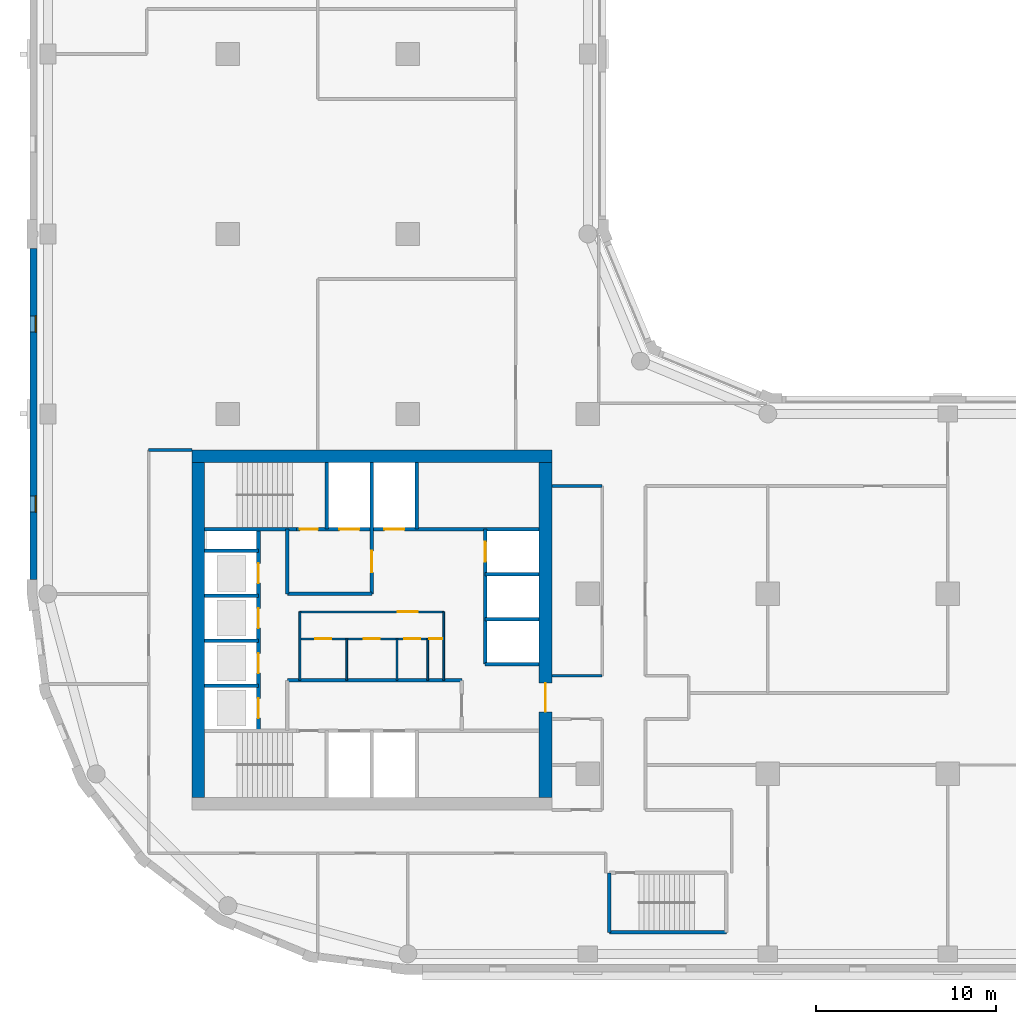
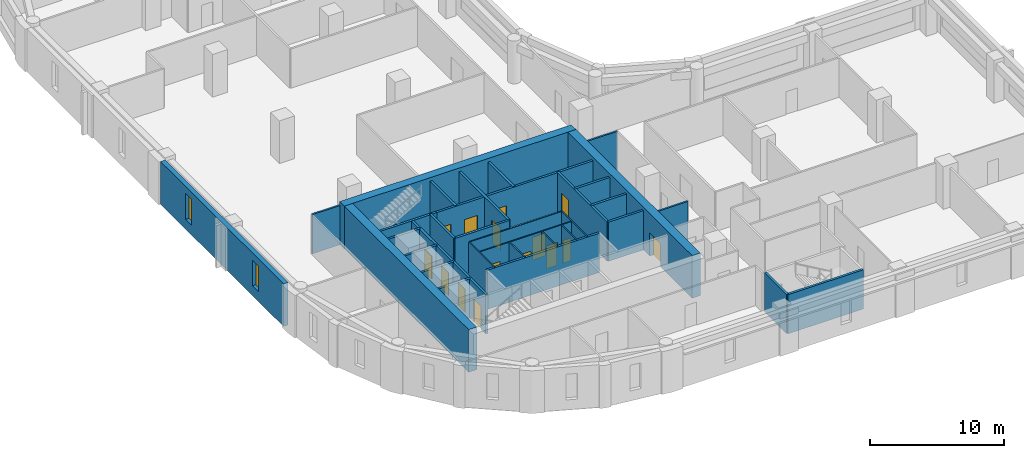
# One storey, part 3 of 9: 33 walls, 15 doors, 2 windows, 17 openings.
"""IFC4 building model written with IfcOpenShell, lengths in metres."""

import ifcopenshell
import ifcopenshell.guid

model = None  # the IFC model being written
_history = None  # IfcOwnerHistory: only IFC2X3 demands one
_inside = {}  # id of a spatial element -> (the spatial element, [elements in it])
_under = {}  # id of a project, library or spatial element -> (it, [spatial elements below it])
_declared = {}  # id of a project -> (the project, [libraries it declares])
_typed = {}  # id of a type object -> (the type object, [elements of that type])
_made_of = {}  # id of a material, layer set ... -> (it, [elements and type objects made of it])


def new_model(schema):
    """Start an empty IFC model of exactly this schema.

    Asked for "IFC4X3", IfcOpenShell would pick the latest addendum, in which some entities
    have other attributes; the version numbers below select the first issue.
    IFC2X3 requires an IfcOwnerHistory on every rooted entity: one is made here for all.
    """
    global model, _history
    if schema == "IFC4X3":
        model = ifcopenshell.file(schema_version=(4, 3, 0, 0))
    else:
        model = ifcopenshell.file(schema=schema)
    _inside.clear()
    _under.clear()
    _declared.clear()
    _typed.clear()
    _made_of.clear()
    _history = None
    if model.schema == "IFC2X3":
        org = make("IfcOrganization", Name="unknown")
        user = make(
            "IfcPersonAndOrganization",
            ThePerson=make("IfcPerson", FamilyName="unknown"),
            TheOrganization=org,
        )
        app = make(
            "IfcApplication",
            ApplicationDeveloper=org,
            Version="unknown",
            ApplicationFullName="unknown",
            ApplicationIdentifier="unknown",
        )
        _history = make(
            "IfcOwnerHistory",
            OwningUser=user,
            OwningApplication=app,
            ChangeAction="ADDED",
            CreationDate=0,
        )
    return model


def make(cls, **values):
    """One entity of the class cls with the attributes given. An attribute that is None is left unset."""
    return model.create_entity(
        cls, **{name: value for name, value in values.items() if value is not None}
    )


def rooted(cls, **values):
    """An entity with a GlobalId (a new one), such as an element, a storey or a relation."""
    return make(cls, GlobalId=ifcopenshell.guid.new(), OwnerHistory=_history, **values)


def si_unit(unit_type, name, prefix=None):
    """IfcSIUnit, for example si_unit("LENGTHUNIT", "METRE", prefix="MILLI")."""
    return make("IfcSIUnit", UnitType=unit_type, Prefix=prefix, Name=name)


def assignment(units):
    """IfcUnitAssignment: the units of a project."""
    return None if units is None else make("IfcUnitAssignment", Units=units)


def point(xyz):
    """IfcCartesianPoint."""
    return None if xyz is None else make("IfcCartesianPoint", Coordinates=xyz)


def direction(xyz):
    """IfcDirection."""
    return None if xyz is None else make("IfcDirection", DirectionRatios=xyz)


def frame(location, z_axis=None, x_axis=None):
    """IfcAxis2Placement3D, a coordinate frame: its origin and axes. An axis left out is left unset."""
    return make(
        "IfcAxis2Placement3D",
        Location=point(location),
        Axis=direction(z_axis),
        RefDirection=direction(x_axis),
    )


def frame_2d(location, x_axis=None):
    """IfcAxis2Placement2D, a coordinate frame in the plane: its origin and x axis."""
    return make(
        "IfcAxis2Placement2D", Location=point(location), RefDirection=direction(x_axis)
    )


def origin():
    """The frame at (0, 0, 0) with its axes left unset."""
    return frame((0.0, 0.0, 0.0))


def place(relative_to, where):
    """IfcLocalPlacement: puts the frame where relative to a parent placement (None: the world)."""
    return make(
        "IfcLocalPlacement", PlacementRelTo=relative_to, RelativePlacement=where
    )


def context(
    kind, dimensions, precision=None, world=None, true_north=None, identifier=None
):
    """IfcGeometricRepresentationContext, for example the 3D "Model" context."""
    return make(
        "IfcGeometricRepresentationContext",
        ContextIdentifier=identifier,
        ContextType=kind,
        CoordinateSpaceDimension=dimensions,
        Precision=precision,
        WorldCoordinateSystem=world,
        TrueNorth=true_north,
    )


def subcontext(parent, identifier, kind, view, scale=None):
    """IfcGeometricRepresentationSubContext, for example "Body" below "Model"."""
    return make(
        "IfcGeometricRepresentationSubContext",
        ContextIdentifier=identifier,
        ContextType=kind,
        ParentContext=parent,
        TargetScale=scale,
        TargetView=view,
    )


def project(units=None, contexts=None):
    """IfcProject with its units and contexts."""
    return rooted(
        "IfcProject",
        Name="project",
        RepresentationContexts=contexts,
        UnitsInContext=assignment(units),
    )


def spatial(cls, under=None, at=None, **own):
    """A site, building, storey or space (cls), placed at a placement, below another one or the project."""
    s = rooted(cls, ObjectPlacement=at, **own)
    if under is not None:
        _under.setdefault(under.id(), (under, []))[1].append(s)
    return s


def profile(cls, at=None, kind="AREA", **sizes):
    """A parametric profile (cls). Its sizes go by their IFC names, for example OverallWidth=200.0."""
    return make(cls, ProfileType=kind, Position=at, **sizes)


def rectangle(**sizes):
    """IfcRectangleProfileDef."""
    return profile("IfcRectangleProfileDef", **sizes)


def extrude(swept, where, along, depth):
    """IfcExtrudedAreaSolid: the profile swept, set in the frame where, extruded along a direction by depth."""
    return make(
        "IfcExtrudedAreaSolid",
        SweptArea=swept,
        Position=where,
        ExtrudedDirection=direction(along),
        Depth=depth,
    )


def shape(context_of_items, identifier, shape_type, items):
    """IfcShapeRepresentation: the items that make up one representation, for example the "Body"."""
    return make(
        "IfcShapeRepresentation",
        ContextOfItems=context_of_items,
        RepresentationIdentifier=identifier,
        RepresentationType=shape_type,
        Items=items,
    )


def material(Name=None, Category=None):
    """IfcMaterial."""
    return make("IfcMaterial", Name=Name, Category=Category)


def layer(
    of_material, thickness, ventilated=None, Name=None, Category=None, Priority=None
):
    """IfcMaterialLayer: one layer of a wall or slab, of a material (None: an air gap)."""
    return make(
        "IfcMaterialLayer",
        Material=of_material,
        LayerThickness=thickness,
        IsVentilated=ventilated,
        Name=Name,
        Category=Category,
        Priority=Priority,
    )


def layer_set(layers, Name=None):
    """IfcMaterialLayerSet."""
    return make("IfcMaterialLayerSet", MaterialLayers=layers, LayerSetName=Name)


def made_of(thing, what):
    """Note that an element or type object is made of a material, layer set ...; save() writes the relation."""
    if what is not None:
        _made_of.setdefault(what.id(), (what, []))[1].append(thing)
    return thing


def type_object(cls, material=None, **own):
    """A type object (cls), such as IfcWallType, which elements share."""
    return made_of(rooted(cls, **own), material)


def element(
    cls,
    number,
    at=None,
    inside=None,
    cuts=None,
    type_object=None,
    material=None,
    context=None,
    identifier="Body",
    shape_type=None,
    held_by="IfcProductDefinitionShape",
    body=None,
    shapes=None,
    **own,
):
    """One element of the class cls, such as IfcWall. Its Tag is "e" and its number.

    at: its placement. inside: the storey or other place that contains it. cuts: it is an
    opening in that element (IfcRelVoidsElement). A single representation is given by context,
    identifier, shape_type and body (its items); several are given by shapes. held_by: the class
    of the entity that holds the representations. save() writes the other relations.
    """
    e = rooted(cls, Tag="e%d" % number, ObjectPlacement=at, **own)
    if body is not None:
        shapes = [shape(context, identifier, shape_type, body)]
    if shapes is not None:
        e.Representation = make(held_by, Representations=shapes)
    if inside is not None:
        _inside.setdefault(inside.id(), (inside, []))[1].append(e)
    if cuts is not None:
        rooted(
            "IfcRelVoidsElement", RelatingBuildingElement=cuts, RelatedOpeningElement=e
        )
    if type_object is not None:
        _typed.setdefault(type_object.id(), (type_object, []))[1].append(e)
    return made_of(e, material)


def fill(opening, filler):
    """IfcRelFillsElement: the door or window that sits in an opening."""
    return rooted(
        "IfcRelFillsElement",
        RelatingOpeningElement=opening,
        RelatedBuildingElement=filler,
    )


def aggregate(whole, parts):
    """IfcRelAggregates: a whole, such as a stair, and the parts it consists of."""
    return rooted("IfcRelAggregates", RelatingObject=whole, RelatedObjects=parts)


def save(model, path):
    """Write the relations noted so far, then the file.

    IfcRelAggregates (storeys below a building ...), IfcRelContainedInSpatialStructure (elements
    in a storey), IfcRelDefinesByType, IfcRelAssociatesMaterial and IfcRelDeclares: one each for
    every whole, place, type object, material and project.
    """
    for whole, parts in _under.values():
        aggregate(whole, parts)
    for where, things in _inside.values():
        rooted(
            "IfcRelContainedInSpatialStructure",
            RelatedElements=things,
            RelatingStructure=where,
        )
    for kind, things in _typed.values():
        rooted("IfcRelDefinesByType", RelatedObjects=things, RelatingType=kind)
    for what, things in _made_of.values():
        rooted("IfcRelAssociatesMaterial", RelatedObjects=things, RelatingMaterial=what)
    for by, libraries in _declared.values():
        rooted("IfcRelDeclares", RelatingContext=by, RelatedDefinitions=libraries)
    model.write(path)


model = new_model("IFC4")

# Units and contexts
model_context = context("Model", 3, precision=1e-05, world=origin(), true_north=direction((0.0, 1.0)))
body_context = subcontext(model_context, "Body", "Model", "MODEL_VIEW")
ifc_project = project(units=[si_unit("LENGTHUNIT", "METRE"), si_unit("AREAUNIT", "SQUARE_METRE"), si_unit("VOLUMEUNIT", "CUBIC_METRE"), si_unit("PLANEANGLEUNIT", "RADIAN"), si_unit("MASSUNIT", "GRAM", prefix="KILO")], contexts=[model_context])

# Site, building, storey
site_placement = place(None, origin())
site = spatial("IfcSite", under=ifc_project, at=site_placement, CompositionType="ELEMENT")
building_placement = place(site_placement, origin())
building = spatial("IfcBuilding", under=site, at=building_placement, Name="Qaws Garden Tower", CompositionType="ELEMENT")
storey_placement = place(building_placement, frame((0.0, 0.0, 198.0)))
storey = spatial("IfcBuildingStorey", under=building, at=storey_placement, Name="L48", CompositionType="ELEMENT", Elevation=198.0)

# Wall, openings, windows
ifc_material_1 = material(Name="Clay facing brick masonry", Category="masonry")
ifc_layer_1 = layer(ifc_material_1, 0.39990234375)
ifc_layer_set_1 = layer_set([ifc_layer_1], Name="Clay facing brick masonry")
wall_type_1 = type_object("IfcWallType", Name="Brick infill wall 400", PredefinedType="SOLIDWALL", material=ifc_layer_set_1)
wall_1_placement = place(storey_placement, frame((-0.800048828125, 39.199951171875, 0.0), z_axis=(0.0, 0.0, 1.0), x_axis=(0.0, -1.0, 0.0)))
wall_1 = element("IfcWall", 1, at=wall_1_placement, inside=storey, type_object=wall_type_1, Name="E-L48-infill-23", PredefinedType="SOLIDWALL", context=body_context, shape_type="SweptSolid", body=[
    extrude(rectangle(XDim=18.39990234375, YDim=0.39990234375, at=frame_2d((9.199951171875, 0.0))), origin(), (0.0, 0.0, 1.0), 3.89990234375),
])
opening_1_placement = place(wall_1_placement, frame((3.75, 0.0, 0.89990234375)))
opening_1 = element("IfcOpeningElement", 2, at=opening_1_placement, cuts=wall_1, Name="Opening W09", PredefinedType="OPENING", context=body_context, shape_type="SweptSolid", body=[
    extrude(rectangle(XDim=0.89990234375, YDim=2.35009765625, at=frame_2d((0.449951171875, 1.175048828125))), frame((0.0, 0.2099609375, 0.0), z_axis=(0.0, -1.0, 0.0), x_axis=(1.0, 0.0, 0.0)), (0.0, 0.0, 1.0), 0.419921875),
])
opening_2_placement = place(wall_1_placement, frame((13.75, 0.0, 0.89990234375)))
opening_2 = element("IfcOpeningElement", 3, at=opening_2_placement, cuts=wall_1, Name="Opening W09", PredefinedType="OPENING", context=body_context, shape_type="SweptSolid", body=[
    extrude(rectangle(XDim=0.89990234375, YDim=2.35009765625, at=frame_2d((0.449951171875, 1.175048828125))), frame((0.0, 0.2099609375, 0.0), z_axis=(0.0, -1.0, 0.0), x_axis=(1.0, 0.0, 0.0)), (0.0, 0.0, 1.0), 0.419921875),
])
ifc_material_2 = material(Name="Aluminium framed window, clear glazing", Category="aluminium")
window_type = type_object("IfcWindowType", Name="Slit window 900 x 2350", PartitioningType="SINGLE_PANEL", PredefinedType="WINDOW", material=ifc_material_2)
window_1_placement = place(opening_1_placement, origin())
window_1 = element("IfcWindow", 4, at=window_1_placement, inside=storey, type_object=window_type, Name="E-L48-window-23-0", OverallHeight=2.35009765625, OverallWidth=0.89990234375, PartitioningType="SINGLE_PANEL", PredefinedType="WINDOW", context=body_context, shape_type="SweptSolid", body=[
    extrude(rectangle(XDim=0.89990234375, YDim=2.35009765625, at=frame_2d((0.449951171875, 1.175048828125))), frame((0.0, 0.159912109375, 0.0), z_axis=(0.0, -1.0, 0.0), x_axis=(1.0, 0.0, 0.0)), (0.0, 0.0, 1.0), 0.06005859375),
])
fill(opening_1, window_1)
window_2_placement = place(opening_2_placement, origin())
window_2 = element("IfcWindow", 5, at=window_2_placement, inside=storey, type_object=window_type, Name="E-L48-window-24-0", OverallHeight=2.35009765625, OverallWidth=0.89990234375, PartitioningType="SINGLE_PANEL", PredefinedType="WINDOW", context=body_context, shape_type="SweptSolid", body=[
    extrude(rectangle(XDim=0.89990234375, YDim=2.35009765625, at=frame_2d((0.449951171875, 1.175048828125))), frame((0.0, 0.159912109375, 0.0), z_axis=(0.0, -1.0, 0.0), x_axis=(1.0, 0.0, 0.0)), (0.0, 0.0, 1.0), 0.06005859375),
])
fill(opening_2, window_2)

# Wall, openings, doors
ifc_material_3 = material(Name="Plasterboard")
ifc_layer_2 = layer(ifc_material_3, 0.10009765625)
ifc_layer_set_2 = layer_set([ifc_layer_2], Name="Plasterboard")
wall_type_2 = type_object("IfcWallType", Name="Core partition 100", PredefinedType="PARTITIONING", material=ifc_layer_set_2)
wall_2_placement = place(storey_placement, frame((14.0, 17.5, 0.0), z_axis=(0.0, 0.0, 1.0), x_axis=(1.0, 0.0, 0.0)))
wall_2 = element("IfcWall", 6, at=wall_2_placement, inside=storey, type_object=wall_type_2, Name="Core partition", PredefinedType="PARTITIONING", context=body_context, shape_type="SweptSolid", body=[
    extrude(rectangle(XDim=8.0, YDim=0.10009765625, at=frame_2d((4.0, 0.0))), origin(), (0.0, 0.0, 1.0), 3.580078125),
])
opening_3_placement = place(wall_2_placement, frame((0.85009765625, 0.0, 0.0)))
opening_3 = element("IfcOpeningElement", 7, at=opening_3_placement, cuts=wall_2, Name="Opening WD18", PredefinedType="OPENING", context=body_context, shape_type="SweptSolid", body=[
    extrude(rectangle(XDim=0.89990234375, YDim=2.10009765625, at=frame_2d((0.449951171875, 1.050048828125))), frame((0.0, 0.06005859375, 0.0), z_axis=(0.0, -1.0, 0.0), x_axis=(1.0, 0.0, 0.0)), (0.0, 0.0, 1.0), 0.1201171875),
])
opening_4_placement = place(wall_2_placement, frame((3.550048828125, 0.0, 0.0)))
opening_4 = element("IfcOpeningElement", 8, at=opening_4_placement, cuts=wall_2, Name="Opening WD19", PredefinedType="OPENING", context=body_context, shape_type="SweptSolid", body=[
    extrude(rectangle(XDim=0.89990234375, YDim=2.10009765625, at=frame_2d((0.449951171875, 1.050048828125))), frame((0.0, 0.06005859375, 0.0), z_axis=(0.0, -1.0, 0.0), x_axis=(1.0, 0.0, 0.0)), (0.0, 0.0, 1.0), 0.1201171875),
])
opening_5_placement = place(wall_2_placement, frame((5.800048828125, 0.0, 0.0)))
opening_5 = element("IfcOpeningElement", 9, at=opening_5_placement, cuts=wall_2, Name="Opening WD20", PredefinedType="OPENING", context=body_context, shape_type="SweptSolid", body=[
    extrude(rectangle(XDim=0.89990234375, YDim=2.10009765625, at=frame_2d((0.449951171875, 1.050048828125))), frame((0.0, 0.06005859375, 0.0), z_axis=(0.0, -1.0, 0.0), x_axis=(1.0, 0.0, 0.0)), (0.0, 0.0, 1.0), 0.1201171875),
])
opening_6_placement = place(wall_2_placement, frame((7.199951171875, 0.0, 0.0)))
opening_6 = element("IfcOpeningElement", 10, at=opening_6_placement, cuts=wall_2, Name="Opening XD21", PredefinedType="OPENING", context=body_context, shape_type="SweptSolid", body=[
    extrude(rectangle(XDim=0.699951171875, YDim=2.10009765625, at=frame_2d((0.35009765625, 1.050048828125))), frame((0.0, 0.06005859375, 0.0), z_axis=(0.0, -1.0, 0.0), x_axis=(1.0, 0.0, 0.0)), (0.0, 0.0, 1.0), 0.1201171875),
])
ifc_material_4 = material(Name="Timber", Category="wood")
door_type_1 = type_object("IfcDoorType", Name="Store door 700x2100", OperationType="SINGLE_SWING_LEFT", PredefinedType="DOOR", material=ifc_material_4)
door_1_placement = place(opening_6_placement, frame((0.699951171875, 0.0, 0.0), z_axis=(0.0, 0.0, 1.0), x_axis=(-1.0, 0.0, 0.0)))
door_1 = element("IfcDoor", 11, at=door_1_placement, inside=storey, type_object=door_type_1, Name="Cleaner's store door", OperationType="SINGLE_SWING_LEFT", OverallHeight=2.10009765625, OverallWidth=0.699951171875, PredefinedType="DOOR", context=body_context, shape_type="SweptSolid", body=[
    extrude(rectangle(XDim=0.699951171875, YDim=2.10009765625, at=frame_2d((0.35009765625, 1.050048828125))), frame((0.0, 0.02490234375, 0.0), z_axis=(0.0, -1.0, 0.0), x_axis=(1.0, 0.0, 0.0)), (0.0, 0.0, 1.0), 0.050048828125),
])
fill(opening_6, door_1)
ifc_material_5 = material(Name="Timber", Category="wood")
door_type_2 = type_object("IfcDoorType", Name="WC door 900x2100", OperationType="SINGLE_SWING_LEFT", PredefinedType="DOOR", material=ifc_material_5)
door_2_placement = place(opening_3_placement, frame((0.89990234375, 0.0, 0.0), z_axis=(0.0, 0.0, 1.0), x_axis=(-1.0, 0.0, 0.0)))
door_2 = element("IfcDoor", 12, at=door_2_placement, inside=storey, type_object=door_type_2, Name="Men's WC door", OperationType="SINGLE_SWING_LEFT", OverallHeight=2.10009765625, OverallWidth=0.89990234375, PredefinedType="DOOR", context=body_context, shape_type="SweptSolid", body=[
    extrude(rectangle(XDim=0.89990234375, YDim=2.10009765625, at=frame_2d((0.449951171875, 1.050048828125))), frame((0.0, 0.02490234375, 0.0), z_axis=(0.0, -1.0, 0.0), x_axis=(1.0, 0.0, 0.0)), (0.0, 0.0, 1.0), 0.050048828125),
])
fill(opening_3, door_2)
door_3_placement = place(opening_4_placement, frame((0.89990234375, 0.0, 0.0), z_axis=(0.0, 0.0, 1.0), x_axis=(-1.0, 0.0, 0.0)))
door_3 = element("IfcDoor", 13, at=door_3_placement, inside=storey, type_object=door_type_2, Name="Women's WC door", OperationType="SINGLE_SWING_LEFT", OverallHeight=2.10009765625, OverallWidth=0.89990234375, PredefinedType="DOOR", context=body_context, shape_type="SweptSolid", body=[
    extrude(rectangle(XDim=0.89990234375, YDim=2.10009765625, at=frame_2d((0.449951171875, 1.050048828125))), frame((0.0, 0.02490234375, 0.0), z_axis=(0.0, -1.0, 0.0), x_axis=(1.0, 0.0, 0.0)), (0.0, 0.0, 1.0), 0.050048828125),
])
fill(opening_4, door_3)
door_4_placement = place(opening_5_placement, frame((0.89990234375, 0.0, 0.0), z_axis=(0.0, 0.0, 1.0), x_axis=(-1.0, 0.0, 0.0)))
door_4 = element("IfcDoor", 14, at=door_4_placement, inside=storey, type_object=door_type_2, Name="Accessible WC door", OperationType="SINGLE_SWING_LEFT", OverallHeight=2.10009765625, OverallWidth=0.89990234375, PredefinedType="DOOR", context=body_context, shape_type="SweptSolid", body=[
    extrude(rectangle(XDim=0.89990234375, YDim=2.10009765625, at=frame_2d((0.449951171875, 1.050048828125))), frame((0.0, 0.02490234375, 0.0), z_axis=(0.0, -1.0, 0.0), x_axis=(1.0, 0.0, 0.0)), (0.0, 0.0, 1.0), 0.050048828125),
])
fill(opening_5, door_4)

# Wall, opening, door
wall_3_placement = place(storey_placement, frame((14.0, 19.0, 0.0), z_axis=(0.0, 0.0, 1.0), x_axis=(1.0, 0.0, 0.0)))
wall_3 = element("IfcWall", 15, at=wall_3_placement, inside=storey, type_object=wall_type_2, Name="Core partition", PredefinedType="PARTITIONING", context=body_context, shape_type="SweptSolid", body=[
    extrude(rectangle(XDim=8.0, YDim=0.10009765625, at=frame_2d((4.0, 0.0))), origin(), (0.0, 0.0, 1.0), 3.580078125),
])
opening_7_placement = place(wall_3_placement, frame((5.449951171875, 0.0, 0.0)))
opening_7 = element("IfcOpeningElement", 16, at=opening_7_placement, cuts=wall_3, Name="Opening WL17", PredefinedType="OPENING", context=body_context, shape_type="SweptSolid", body=[
    extrude(rectangle(XDim=1.10009765625, YDim=2.10009765625, at=frame_2d((0.550048828125, 1.050048828125))), frame((0.0, 0.06005859375, 0.0), z_axis=(0.0, -1.0, 0.0), x_axis=(1.0, 0.0, 0.0)), (0.0, 0.0, 1.0), 0.1201171875),
])
ifc_material_6 = material(Name="Timber", Category="wood")
door_type_3 = type_object("IfcDoorType", Name="WC lobby door 1100x2100", OperationType="SINGLE_SWING_LEFT", PredefinedType="DOOR", material=ifc_material_6)
door_5_placement = place(opening_7_placement, frame((1.10009765625, 0.0, 0.0), z_axis=(0.0, 0.0, 1.0), x_axis=(-1.0, 0.0, 0.0)))
door_5 = element("IfcDoor", 17, at=door_5_placement, inside=storey, type_object=door_type_3, Name="WC lobby door", OperationType="SINGLE_SWING_LEFT", OverallHeight=2.10009765625, OverallWidth=1.10009765625, PredefinedType="DOOR", context=body_context, shape_type="SweptSolid", body=[
    extrude(rectangle(XDim=1.10009765625, YDim=2.10009765625, at=frame_2d((0.550048828125, 1.050048828125))), frame((0.0, 0.02490234375, 0.0), z_axis=(0.0, -1.0, 0.0), x_axis=(1.0, 0.0, 0.0)), (0.0, 0.0, 1.0), 0.050048828125),
])
fill(opening_7, door_5)

# Walls
wall_4_placement = place(storey_placement, frame((14.0, 15.199951171875, 0.0), z_axis=(0.0, 0.0, 1.0), x_axis=(0.0, 1.0, 0.0)))
element("IfcWall", 18, at=wall_4_placement, inside=storey, type_object=wall_type_2, Name="Core partition", PredefinedType="PARTITIONING", context=body_context, shape_type="SweptSolid", body=[
    extrude(rectangle(XDim=3.800048828125, YDim=0.10009765625, at=frame_2d((1.89990234375, 0.0))), origin(), (0.0, 0.0, 1.0), 3.580078125),
])
for number, where, z_axis, x_axis, name in (
    (19, (16.60009765625, 15.199951171875, 0.0), (0.0, 0.0, 1.0), (0.0, 1.0, 0.0), "Core partition"),
    (20, (19.39990234375, 15.199951171875, 0.0), (0.0, 0.0, 1.0), (0.0, 1.0, 0.0), "Core partition"),
    (21, (21.10009765625, 15.199951171875, 0.0), (0.0, 0.0, 1.0), (0.0, 1.0, 0.0), "Core partition"),
):
    element("IfcWall", number, at=place(storey_placement, frame(where, z_axis=z_axis, x_axis=x_axis)), inside=storey, type_object=wall_type_2, Name=name, PredefinedType="PARTITIONING", context=body_context, shape_type="SweptSolid", body=[
        extrude(rectangle(XDim=2.300048828125, YDim=0.10009765625, at=frame_2d((1.14990234375, 0.0))), origin(), (0.0, 0.0, 1.0), 3.580078125),
    ])
wall_5_placement = place(storey_placement, frame((22.0, 15.199951171875, 0.0), z_axis=(0.0, 0.0, 1.0), x_axis=(0.0, 1.0, 0.0)))
element("IfcWall", 22, at=wall_5_placement, inside=storey, type_object=wall_type_2, Name="Core partition", PredefinedType="PARTITIONING", context=body_context, shape_type="SweptSolid", body=[
    extrude(rectangle(XDim=3.800048828125, YDim=0.10009765625, at=frame_2d((1.89990234375, 0.0))), origin(), (0.0, 0.0, 1.0), 3.580078125),
])
ifc_material_7 = material(Name="Concrete C70", Category="concrete")
ifc_layer_3 = layer(ifc_material_7, 0.199951171875)
ifc_layer_set_3 = layer_set([ifc_layer_3], Name="Concrete C70")
wall_type_3 = type_object("IfcWallType", Name="Core shaft wall 200 C70", PredefinedType="SHEAR", material=ifc_layer_set_3)
wall_6_placement = place(storey_placement, frame((31.199951171875, 1.199951171875, 0.0), z_axis=(0.0, 0.0, 1.0), x_axis=(1.0, 0.0, 0.0)))
element("IfcWall", 23, at=wall_6_placement, inside=storey, type_object=wall_type_3, Name="Shaft wall", PredefinedType="SHEAR", context=body_context, shape_type="SweptSolid", body=[
    extrude(rectangle(XDim=6.5, YDim=0.199951171875, at=frame_2d((3.25, 0.0))), origin(), (0.0, 0.0, 1.0), 3.580078125),
])
wall_7_placement = place(storey_placement, frame((8.699951171875, 14.89990234375, 0.0), z_axis=(0.0, 0.0, 1.0), x_axis=(1.0, 0.0, 0.0)))
element("IfcWall", 24, at=wall_7_placement, inside=storey, type_object=wall_type_3, Name="Shaft wall", PredefinedType="SHEAR", context=body_context, shape_type="SweptSolid", body=[
    extrude(rectangle(XDim=3.0, YDim=0.199951171875, at=frame_2d((1.5, 0.0))), origin(), (0.0, 0.0, 1.0), 3.580078125),
])
wall_8_placement = place(storey_placement, frame((13.300048828125, 15.199951171875, 0.0), z_axis=(0.0, 0.0, 1.0), x_axis=(1.0, 0.0, 0.0)))
element("IfcWall", 25, at=wall_8_placement, inside=storey, type_object=wall_type_3, Name="Shaft wall", PredefinedType="SHEAR", context=body_context, shape_type="SweptSolid", body=[
    extrude(rectangle(XDim=9.699951171875, YDim=0.199951171875, at=frame_2d((4.85009765625, 0.0))), origin(), (0.0, 0.0, 1.0), 3.580078125),
])
for number, where, z_axis, x_axis, name in (
    (26, (24.300048828125, 16.10009765625, 0.0), (0.0, 0.0, 1.0), (1.0, 0.0, 0.0), "Shaft wall"),
    (27, (8.699951171875, 17.39990234375, 0.0), (0.0, 0.0, 1.0), (1.0, 0.0, 0.0), "Shaft wall"),
    (28, (24.300048828125, 18.60009765625, 0.0), (0.0, 0.0, 1.0), (1.0, 0.0, 0.0), "Shaft wall"),
    (29, (8.699951171875, 19.89990234375, 0.0), (0.0, 0.0, 1.0), (1.0, 0.0, 0.0), "Shaft wall"),
):
    element("IfcWall", number, at=place(storey_placement, frame(where, z_axis=z_axis, x_axis=x_axis)), inside=storey, type_object=wall_type_3, Name=name, PredefinedType="SHEAR", context=body_context, shape_type="SweptSolid", body=[
        extrude(rectangle(XDim=3.0, YDim=0.199951171875, at=frame_2d((1.5, 0.0))), origin(), (0.0, 0.0, 1.0), 3.580078125),
    ])
wall_9_placement = place(storey_placement, frame((13.300048828125, 20.0, 0.0), z_axis=(0.0, 0.0, 1.0), x_axis=(1.0, 0.0, 0.0)))
element("IfcWall", 30, at=wall_9_placement, inside=storey, type_object=wall_type_3, Name="Shaft wall", PredefinedType="SHEAR", context=body_context, shape_type="SweptSolid", body=[
    extrude(rectangle(XDim=4.699951171875, YDim=0.199951171875, at=frame_2d((2.35009765625, 0.0))), origin(), (0.0, 0.0, 1.0), 3.580078125),
])
for number, where, z_axis, x_axis, name in (
    (31, (24.300048828125, 21.10009765625, 0.0), (0.0, 0.0, 1.0), (1.0, 0.0, 0.0), "Shaft wall"),
    (32, (8.699951171875, 22.39990234375, 0.0), (0.0, 0.0, 1.0), (1.0, 0.0, 0.0), "Shaft wall"),
):
    element("IfcWall", number, at=place(storey_placement, frame(where, z_axis=z_axis, x_axis=x_axis)), inside=storey, type_object=wall_type_3, Name=name, PredefinedType="SHEAR", context=body_context, shape_type="SweptSolid", body=[
        extrude(rectangle(XDim=3.0, YDim=0.199951171875, at=frame_2d((1.5, 0.0))), origin(), (0.0, 0.0, 1.0), 3.580078125),
    ])
wall_10_placement = place(storey_placement, frame((8.699951171875, 23.60009765625, 0.0), z_axis=(0.0, 0.0, 1.0), x_axis=(1.0, 0.0, 0.0)))
element("IfcWall", 33, at=wall_10_placement, inside=storey, type_object=wall_type_3, Name="Shaft wall", PredefinedType="SHEAR", context=body_context, shape_type="SweptSolid", body=[
    extrude(rectangle(XDim=5.10009765625, YDim=0.199951171875, at=frame_2d((2.550048828125, 0.0))), origin(), (0.0, 0.0, 1.0), 3.580078125),
])

# Wall, openings, doors
wall_11_placement = place(storey_placement, frame((13.800048828125, 23.60009765625, 0.0), z_axis=(0.0, 0.0, 1.0), x_axis=(1.0, 0.0, 0.0)))
wall_11 = element("IfcWall", 34, at=wall_11_placement, inside=storey, type_object=wall_type_3, Name="Shaft wall", PredefinedType="SHEAR", context=body_context, shape_type="SweptSolid", body=[
    extrude(rectangle(XDim=13.5, YDim=0.199951171875, at=frame_2d((6.75, 0.0))), origin(), (0.0, 0.0, 1.0), 3.580078125),
])
opening_8_placement = place(wall_11_placement, frame((2.39990234375, 0.0, 0.0)))
opening_8 = element("IfcOpeningElement", 35, at=opening_8_placement, cuts=wall_11, Name="Opening LD08", PredefinedType="OPENING", context=body_context, shape_type="SweptSolid", body=[
    extrude(rectangle(XDim=1.10009765625, YDim=2.10009765625, at=frame_2d((0.550048828125, 1.050048828125))), frame((0.0, 0.10986328125, 0.0), z_axis=(0.0, -1.0, 0.0), x_axis=(1.0, 0.0, 0.0)), (0.0, 0.0, 1.0), 0.219970703125),
])
opening_9_placement = place(wall_11_placement, frame((4.89990234375, 0.0, 0.0)))
opening_9 = element("IfcOpeningElement", 36, at=opening_9_placement, cuts=wall_11, Name="Opening LD09", PredefinedType="OPENING", context=body_context, shape_type="SweptSolid", body=[
    extrude(rectangle(XDim=1.10009765625, YDim=2.10009765625, at=frame_2d((0.550048828125, 1.050048828125))), frame((0.0, 0.10986328125, 0.0), z_axis=(0.0, -1.0, 0.0), x_axis=(1.0, 0.0, 0.0)), (0.0, 0.0, 1.0), 0.219970703125),
])
opening_10_placement = place(wall_11_placement, frame((0.199951171875, 0.0, 0.0)))
opening_10 = element("IfcOpeningElement", 37, at=opening_10_placement, cuts=wall_11, Name="Opening SD11", PredefinedType="OPENING", context=body_context, shape_type="SweptSolid", body=[
    extrude(rectangle(XDim=1.0, YDim=2.10009765625, at=frame_2d((0.5, 1.050048828125))), frame((0.0, 0.10986328125, 0.0), z_axis=(0.0, -1.0, 0.0), x_axis=(1.0, 0.0, 0.0)), (0.0, 0.0, 1.0), 0.219970703125),
])
ifc_material_8 = material(Name="Steel S235", Category="steel")
door_type_4 = type_object("IfcDoorType", Name="Landing door 1100x2100", OperationType="DOUBLE_DOOR_SLIDING", PredefinedType="DOOR", material=ifc_material_8)
door_6_placement = place(opening_8_placement, origin())
door_6 = element("IfcDoor", 38, at=door_6_placement, inside=storey, type_object=door_type_4, Name="Lift FF3 landing door", OperationType="DOUBLE_DOOR_SLIDING", OverallHeight=2.10009765625, OverallWidth=1.10009765625, PredefinedType="DOOR", context=body_context, shape_type="SweptSolid", body=[
    extrude(rectangle(XDim=1.10009765625, YDim=2.10009765625, at=frame_2d((0.550048828125, 1.050048828125))), frame((0.0, 0.02490234375, 0.0), z_axis=(0.0, -1.0, 0.0), x_axis=(1.0, 0.0, 0.0)), (0.0, 0.0, 1.0), 0.050048828125),
])
fill(opening_8, door_6)
door_7_placement = place(opening_9_placement, origin())
door_7 = element("IfcDoor", 39, at=door_7_placement, inside=storey, type_object=door_type_4, Name="Lift SV2 landing door", OperationType="DOUBLE_DOOR_SLIDING", OverallHeight=2.10009765625, OverallWidth=1.10009765625, PredefinedType="DOOR", context=body_context, shape_type="SweptSolid", body=[
    extrude(rectangle(XDim=1.10009765625, YDim=2.10009765625, at=frame_2d((0.550048828125, 1.050048828125))), frame((0.0, 0.02490234375, 0.0), z_axis=(0.0, -1.0, 0.0), x_axis=(1.0, 0.0, 0.0)), (0.0, 0.0, 1.0), 0.050048828125),
])
fill(opening_9, door_7)
ifc_material_9 = material(Name="Steel S235", Category="steel")
door_type_5 = type_object("IfcDoorType", Name="Stair door 1000x2100", OperationType="SINGLE_SWING_RIGHT", PredefinedType="DOOR", material=ifc_material_9)
door_8_placement = place(opening_10_placement, origin())
door_8 = element("IfcDoor", 40, at=door_8_placement, inside=storey, type_object=door_type_5, Name="Stair 4 door", OperationType="SINGLE_SWING_RIGHT", OverallHeight=2.10009765625, OverallWidth=1.0, PredefinedType="DOOR", context=body_context, shape_type="SweptSolid", body=[
    extrude(rectangle(XDim=1.0, YDim=2.10009765625, at=frame_2d((0.5, 1.050048828125))), frame((0.0, 0.02490234375, 0.0), z_axis=(0.0, -1.0, 0.0), x_axis=(1.0, 0.0, 0.0)), (0.0, 0.0, 1.0), 0.050048828125),
])
fill(opening_10, door_8)

wall_12_placement = place(storey_placement, frame((11.699951171875, 12.39990234375, 0.0), z_axis=(0.0, 0.0, 1.0), x_axis=(0.0, 1.0, 0.0)))
wall_12 = element("IfcWall", 41, at=wall_12_placement, inside=storey, type_object=wall_type_3, Name="Shaft wall", PredefinedType="SHEAR", context=body_context, shape_type="SweptSolid", body=[
    extrude(rectangle(XDim=11.2001953125, YDim=0.199951171875, at=frame_2d((5.60009765625, 0.0))), origin(), (0.0, 0.0, 1.0), 3.580078125),
])
opening_11_placement = place(wall_12_placement, frame((0.699951171875, 0.0, 0.0)))
opening_11 = element("IfcOpeningElement", 42, at=opening_11_placement, cuts=wall_12, Name="Opening LD01", PredefinedType="OPENING", context=body_context, shape_type="SweptSolid", body=[
    extrude(rectangle(XDim=1.10009765625, YDim=2.10009765625, at=frame_2d((0.550048828125, 1.050048828125))), frame((0.0, 0.10986328125, 0.0), z_axis=(0.0, -1.0, 0.0), x_axis=(1.0, 0.0, 0.0)), (0.0, 0.0, 1.0), 0.219970703125),
])
opening_12_placement = place(wall_12_placement, frame((3.199951171875, 0.0, 0.0)))
opening_12 = element("IfcOpeningElement", 43, at=opening_12_placement, cuts=wall_12, Name="Opening LD02", PredefinedType="OPENING", context=body_context, shape_type="SweptSolid", body=[
    extrude(rectangle(XDim=1.10009765625, YDim=2.10009765625, at=frame_2d((0.550048828125, 1.050048828125))), frame((0.0, 0.10986328125, 0.0), z_axis=(0.0, -1.0, 0.0), x_axis=(1.0, 0.0, 0.0)), (0.0, 0.0, 1.0), 0.219970703125),
])
opening_13_placement = place(wall_12_placement, frame((5.699951171875, 0.0, 0.0)))
opening_13 = element("IfcOpeningElement", 44, at=opening_13_placement, cuts=wall_12, Name="Opening LD03", PredefinedType="OPENING", context=body_context, shape_type="SweptSolid", body=[
    extrude(rectangle(XDim=1.10009765625, YDim=2.10009765625, at=frame_2d((0.550048828125, 1.050048828125))), frame((0.0, 0.10986328125, 0.0), z_axis=(0.0, -1.0, 0.0), x_axis=(1.0, 0.0, 0.0)), (0.0, 0.0, 1.0), 0.219970703125),
])
opening_14_placement = place(wall_12_placement, frame((8.199951171875, 0.0, 0.0)))
opening_14 = element("IfcOpeningElement", 45, at=opening_14_placement, cuts=wall_12, Name="Opening LD04", PredefinedType="OPENING", context=body_context, shape_type="SweptSolid", body=[
    extrude(rectangle(XDim=1.10009765625, YDim=2.10009765625, at=frame_2d((0.550048828125, 1.050048828125))), frame((0.0, 0.10986328125, 0.0), z_axis=(0.0, -1.0, 0.0), x_axis=(1.0, 0.0, 0.0)), (0.0, 0.0, 1.0), 0.219970703125),
])
door_9_placement = place(opening_11_placement, origin())
door_9 = element("IfcDoor", 46, at=door_9_placement, inside=storey, type_object=door_type_4, Name="Lift W1 landing door", OperationType="DOUBLE_DOOR_SLIDING", OverallHeight=2.10009765625, OverallWidth=1.10009765625, PredefinedType="DOOR", context=body_context, shape_type="SweptSolid", body=[
    extrude(rectangle(XDim=1.10009765625, YDim=2.10009765625, at=frame_2d((0.550048828125, 1.050048828125))), frame((0.0, 0.02490234375, 0.0), z_axis=(0.0, -1.0, 0.0), x_axis=(1.0, 0.0, 0.0)), (0.0, 0.0, 1.0), 0.050048828125),
])
fill(opening_11, door_9)
door_10_placement = place(opening_12_placement, origin())
door_10 = element("IfcDoor", 47, at=door_10_placement, inside=storey, type_object=door_type_4, Name="Lift W2 landing door", OperationType="DOUBLE_DOOR_SLIDING", OverallHeight=2.10009765625, OverallWidth=1.10009765625, PredefinedType="DOOR", context=body_context, shape_type="SweptSolid", body=[
    extrude(rectangle(XDim=1.10009765625, YDim=2.10009765625, at=frame_2d((0.550048828125, 1.050048828125))), frame((0.0, 0.02490234375, 0.0), z_axis=(0.0, -1.0, 0.0), x_axis=(1.0, 0.0, 0.0)), (0.0, 0.0, 1.0), 0.050048828125),
])
fill(opening_12, door_10)
door_11_placement = place(opening_13_placement, origin())
door_11 = element("IfcDoor", 48, at=door_11_placement, inside=storey, type_object=door_type_4, Name="Lift W3 landing door", OperationType="DOUBLE_DOOR_SLIDING", OverallHeight=2.10009765625, OverallWidth=1.10009765625, PredefinedType="DOOR", context=body_context, shape_type="SweptSolid", body=[
    extrude(rectangle(XDim=1.10009765625, YDim=2.10009765625, at=frame_2d((0.550048828125, 1.050048828125))), frame((0.0, 0.02490234375, 0.0), z_axis=(0.0, -1.0, 0.0), x_axis=(1.0, 0.0, 0.0)), (0.0, 0.0, 1.0), 0.050048828125),
])
fill(opening_13, door_11)
door_12_placement = place(opening_14_placement, origin())
door_12 = element("IfcDoor", 49, at=door_12_placement, inside=storey, type_object=door_type_4, Name="Lift W4 landing door", OperationType="DOUBLE_DOOR_SLIDING", OverallHeight=2.10009765625, OverallWidth=1.10009765625, PredefinedType="DOOR", context=body_context, shape_type="SweptSolid", body=[
    extrude(rectangle(XDim=1.10009765625, YDim=2.10009765625, at=frame_2d((0.550048828125, 1.050048828125))), frame((0.0, 0.02490234375, 0.0), z_axis=(0.0, -1.0, 0.0), x_axis=(1.0, 0.0, 0.0)), (0.0, 0.0, 1.0), 0.050048828125),
])
fill(opening_14, door_12)

# Walls
wall_13_placement = place(storey_placement, frame((13.300048828125, 20.0, 0.0), z_axis=(0.0, 0.0, 1.0), x_axis=(0.0, 1.0, 0.0)))
element("IfcWall", 50, at=wall_13_placement, inside=storey, type_object=wall_type_3, Name="Shaft wall", PredefinedType="SHEAR", context=body_context, shape_type="SweptSolid", body=[
    extrude(rectangle(XDim=3.60009765625, YDim=0.199951171875, at=frame_2d((1.800048828125, 0.0))), origin(), (0.0, 0.0, 1.0), 3.580078125),
])
wall_14_placement = place(storey_placement, frame((15.5, 23.60009765625, 0.0), z_axis=(0.0, 0.0, 1.0), x_axis=(0.0, 1.0, 0.0)))
element("IfcWall", 51, at=wall_14_placement, inside=storey, type_object=wall_type_3, Name="Shaft wall", PredefinedType="SHEAR", context=body_context, shape_type="SweptSolid", body=[
    extrude(rectangle(XDim=3.699951171875, YDim=0.199951171875, at=frame_2d((1.85009765625, 0.0))), origin(), (0.0, 0.0, 1.0), 3.580078125),
])

# Wall, opening, door
wall_15_placement = place(storey_placement, frame((18.0, 20.0, 0.0), z_axis=(0.0, 0.0, 1.0), x_axis=(0.0, 1.0, 0.0)))
wall_15 = element("IfcWall", 52, at=wall_15_placement, inside=storey, type_object=wall_type_3, Name="Shaft wall", PredefinedType="SHEAR", context=body_context, shape_type="SweptSolid", body=[
    extrude(rectangle(XDim=7.300048828125, YDim=0.199951171875, at=frame_2d((3.64990234375, 0.0))), origin(), (0.0, 0.0, 1.0), 3.580078125),
])
opening_15_placement = place(wall_15_placement, frame((1.199951171875, 0.0, 0.0)))
opening_15 = element("IfcOpeningElement", 53, at=opening_15_placement, cuts=wall_15, Name="Opening FD16", PredefinedType="OPENING", context=body_context, shape_type="SweptSolid", body=[
    extrude(rectangle(XDim=1.199951171875, YDim=2.10009765625, at=frame_2d((0.60009765625, 1.050048828125))), frame((0.0, 0.10986328125, 0.0), z_axis=(0.0, -1.0, 0.0), x_axis=(1.0, 0.0, 0.0)), (0.0, 0.0, 1.0), 0.219970703125),
])
ifc_material_10 = material(Name="Steel S235", Category="steel")
door_type_6 = type_object("IfcDoorType", Name="Lobby door 1200x2100", OperationType="DOUBLE_DOOR_SINGLE_SWING", PredefinedType="DOOR", material=ifc_material_10)
door_13_placement = place(opening_15_placement, origin())
door_13 = element("IfcDoor", 54, at=door_13_placement, inside=storey, type_object=door_type_6, Name="Fire-fighting lobby door", OperationType="DOUBLE_DOOR_SINGLE_SWING", OverallHeight=2.10009765625, OverallWidth=1.199951171875, PredefinedType="DOOR", context=body_context, shape_type="SweptSolid", body=[
    extrude(rectangle(XDim=1.199951171875, YDim=2.10009765625, at=frame_2d((0.60009765625, 1.050048828125))), frame((0.0, 0.02490234375, 0.0), z_axis=(0.0, -1.0, 0.0), x_axis=(1.0, 0.0, 0.0)), (0.0, 0.0, 1.0), 0.050048828125),
])
fill(opening_15, door_13)

# Wall
wall_16_placement = place(storey_placement, frame((20.5, 23.60009765625, 0.0), z_axis=(0.0, 0.0, 1.0), x_axis=(0.0, 1.0, 0.0)))
element("IfcWall", 55, at=wall_16_placement, inside=storey, type_object=wall_type_3, Name="Shaft wall", PredefinedType="SHEAR", context=body_context, shape_type="SweptSolid", body=[
    extrude(rectangle(XDim=3.699951171875, YDim=0.199951171875, at=frame_2d((1.85009765625, 0.0))), origin(), (0.0, 0.0, 1.0), 3.580078125),
])

# Wall, opening, door
wall_17_placement = place(storey_placement, frame((24.300048828125, 16.10009765625, 0.0), z_axis=(0.0, 0.0, 1.0), x_axis=(0.0, 1.0, 0.0)))
wall_17 = element("IfcWall", 56, at=wall_17_placement, inside=storey, type_object=wall_type_3, Name="Shaft wall", PredefinedType="SHEAR", context=body_context, shape_type="SweptSolid", body=[
    extrude(rectangle(XDim=7.5, YDim=0.199951171875, at=frame_2d((3.75, 0.0))), origin(), (0.0, 0.0, 1.0), 3.580078125),
])
opening_16_placement = place(wall_17_placement, frame((5.699951171875, 0.0, 0.0)))
opening_16 = element("IfcOpeningElement", 57, at=opening_16_placement, cuts=wall_17, Name="Opening LD05", PredefinedType="OPENING", context=body_context, shape_type="SweptSolid", body=[
    extrude(rectangle(XDim=1.10009765625, YDim=2.10009765625, at=frame_2d((0.550048828125, 1.050048828125))), frame((0.0, 0.10986328125, 0.0), z_axis=(0.0, -1.0, 0.0), x_axis=(1.0, 0.0, 0.0)), (0.0, 0.0, 1.0), 0.219970703125),
])
door_14_placement = place(opening_16_placement, origin())
door_14 = element("IfcDoor", 58, at=door_14_placement, inside=storey, type_object=door_type_4, Name="Lift E3 landing door", OperationType="DOUBLE_DOOR_SLIDING", OverallHeight=2.10009765625, OverallWidth=1.10009765625, PredefinedType="DOOR", context=body_context, shape_type="SweptSolid", body=[
    extrude(rectangle(XDim=1.10009765625, YDim=2.10009765625, at=frame_2d((0.550048828125, 1.050048828125))), frame((0.0, 0.02490234375, 0.0), z_axis=(0.0, -1.0, 0.0), x_axis=(1.0, 0.0, 0.0)), (0.0, 0.0, 1.0), 0.050048828125),
])
fill(opening_16, door_14)

# Wall
wall_18_placement = place(storey_placement, frame((31.199951171875, 1.199951171875, 0.0), z_axis=(0.0, 0.0, 1.0), x_axis=(0.0, 1.0, 0.0)))
element("IfcWall", 59, at=wall_18_placement, inside=storey, type_object=wall_type_3, Name="Shaft wall", PredefinedType="SHEAR", context=body_context, shape_type="SweptSolid", body=[
    extrude(rectangle(XDim=3.300048828125, YDim=0.199951171875, at=frame_2d((1.64990234375, 0.0))), origin(), (0.0, 0.0, 1.0), 3.580078125),
])

# Wall, opening, door
ifc_material_11 = material(Name="Concrete C70", Category="concrete")
ifc_layer_4 = layer(ifc_material_11, 0.699951171875)
ifc_layer_set_4 = layer_set([ifc_layer_4], Name="Concrete C70")
wall_type_4 = type_object("IfcWallType", Name="Core wall 700 C70", PredefinedType="SHEAR", material=ifc_layer_set_4)
wall_19_placement = place(storey_placement, frame((27.64990234375, 8.699951171875, 0.0), z_axis=(0.0, 0.0, 1.0), x_axis=(0.0, 1.0, 0.0)))
wall_19 = element("IfcWall", 60, at=wall_19_placement, inside=storey, type_object=wall_type_4, Name="Core wall L48 east", PredefinedType="SHEAR", context=body_context, shape_type="SweptSolid", body=[
    extrude(rectangle(XDim=18.60009765625, YDim=0.699951171875, at=frame_2d((9.300048828125, 0.0))), origin(), (0.0, 0.0, 1.0), 3.89990234375),
])
opening_17_placement = place(wall_19_placement, frame((4.75, 0.0, 0.0)))
opening_17 = element("IfcOpeningElement", 61, at=opening_17_placement, cuts=wall_19, Name="Opening ED22", PredefinedType="OPENING", context=body_context, shape_type="SweptSolid", body=[
    extrude(rectangle(XDim=1.60009765625, YDim=2.10009765625, at=frame_2d((0.800048828125, 1.050048828125))), frame((0.0, 0.35986328125, 0.0), z_axis=(0.0, -1.0, 0.0), x_axis=(1.0, 0.0, 0.0)), (0.0, 0.0, 1.0), 0.719970703125),
])
ifc_material_12 = material(Name="Steel S235", Category="steel")
door_type_7 = type_object("IfcDoorType", Name="Core entrance door 1600x2100", OperationType="DOUBLE_DOOR_SINGLE_SWING", PredefinedType="DOOR", material=ifc_material_12)
door_15_placement = place(opening_17_placement, origin())
door_15 = element("IfcDoor", 62, at=door_15_placement, inside=storey, type_object=door_type_7, Name="Core entrance door", OperationType="DOUBLE_DOOR_SINGLE_SWING", OverallHeight=2.10009765625, OverallWidth=1.60009765625, PredefinedType="DOOR", context=body_context, shape_type="SweptSolid", body=[
    extrude(rectangle(XDim=1.60009765625, YDim=2.10009765625, at=frame_2d((0.800048828125, 1.050048828125))), frame((0.0, 0.02490234375, 0.0), z_axis=(0.0, -1.0, 0.0), x_axis=(1.0, 0.0, 0.0)), (0.0, 0.0, 1.0), 0.050048828125),
])
fill(opening_17, door_15)

# Walls
wall_20_placement = place(storey_placement, frame((28.0, 27.64990234375, 0.0), z_axis=(0.0, 0.0, 1.0), x_axis=(-1.0, 0.0, 0.0)))
element("IfcWall", 63, at=wall_20_placement, inside=storey, type_object=wall_type_4, Name="Core wall L48 north", PredefinedType="SHEAR", context=body_context, shape_type="SweptSolid", body=[
    extrude(rectangle(XDim=20.0, YDim=0.699951171875, at=frame_2d((10.0, 0.0))), origin(), (0.0, 0.0, 1.0), 3.89990234375),
])
wall_21_placement = place(storey_placement, frame((8.35009765625, 27.300048828125, 0.0), z_axis=(0.0, 0.0, 1.0), x_axis=(0.0, -1.0, 0.0)))
element("IfcWall", 64, at=wall_21_placement, inside=storey, type_object=wall_type_4, Name="Core wall L48 west", PredefinedType="SHEAR", context=body_context, shape_type="SweptSolid", body=[
    extrude(rectangle(XDim=18.60009765625, YDim=0.699951171875, at=frame_2d((9.300048828125, 0.0))), origin(), (0.0, 0.0, 1.0), 3.89990234375),
])
ifc_material_13 = material(Name="Gypsum board partition")
ifc_layer_5 = layer(ifc_material_13, 0.14990234375)
ifc_layer_set_5 = layer_set([ifc_layer_5], Name="Gypsum board partition")
wall_type_5 = type_object("IfcWallType", Name="PARTITION 150 EI 60", PredefinedType="PARTITIONING", material=ifc_layer_set_5)
for number, where, z_axis, x_axis, name in (
    (65, (28.0, 15.449951171875, 0.0), (0.0, 0.0, 1.0), (1.0, 0.0, 0.0), "O-L48-wall-037"),
    (66, (28.0, 26.0, 0.0), (0.0, 0.0, 1.0), (1.0, 0.0, 0.0), "O-L48-wall-040"),
):
    element("IfcWall", number, at=place(storey_placement, frame(where, z_axis=z_axis, x_axis=x_axis)), inside=storey, type_object=wall_type_5, Name=name, PredefinedType="PARTITIONING", context=body_context, shape_type="SweptSolid", body=[
        extrude(rectangle(XDim=2.800048828125, YDim=0.14990234375, at=frame_2d((1.39990234375, 0.0))), origin(), (0.0, 0.0, 1.0), 3.580078125),
    ])
wall_22_placement = place(storey_placement, frame((5.60009765625, 28.0, 0.0), z_axis=(0.0, 0.0, 1.0), x_axis=(1.0, 0.0, 0.0)))
element("IfcWall", 67, at=wall_22_placement, inside=storey, type_object=wall_type_5, Name="O-L48-wall-042", PredefinedType="PARTITIONING", context=body_context, shape_type="SweptSolid", body=[
    extrude(rectangle(XDim=2.39990234375, YDim=0.14990234375, at=frame_2d((1.199951171875, 0.0))), origin(), (0.0, 0.0, 1.0), 3.580078125),
])

save(model, "model.ifc")
